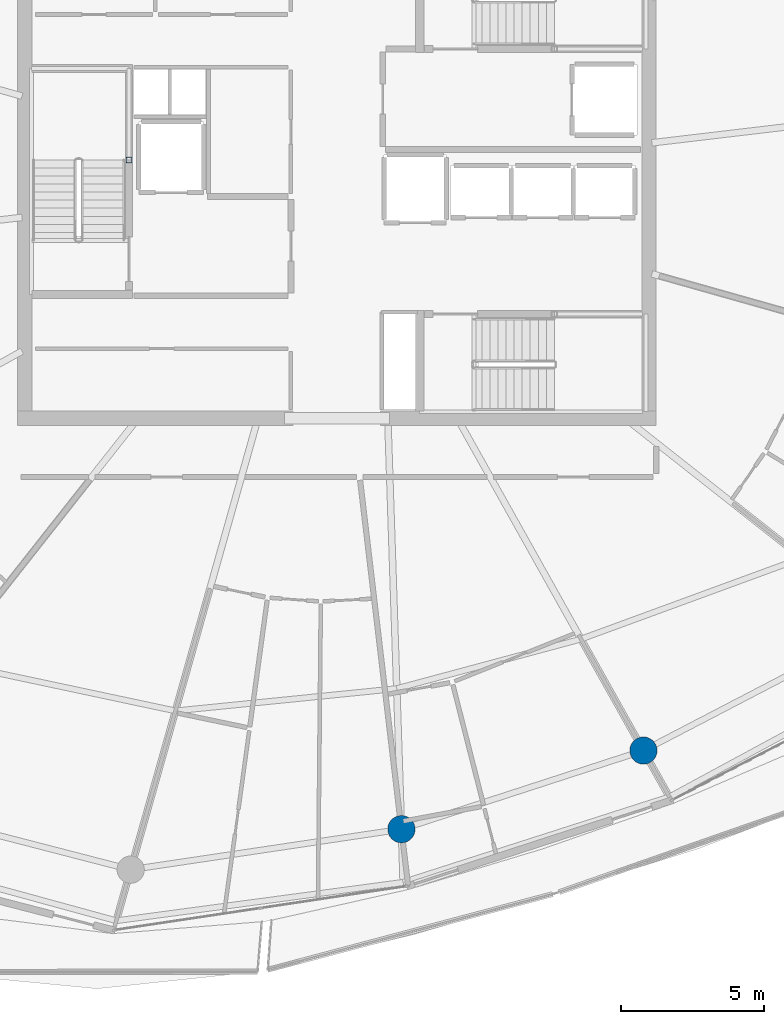
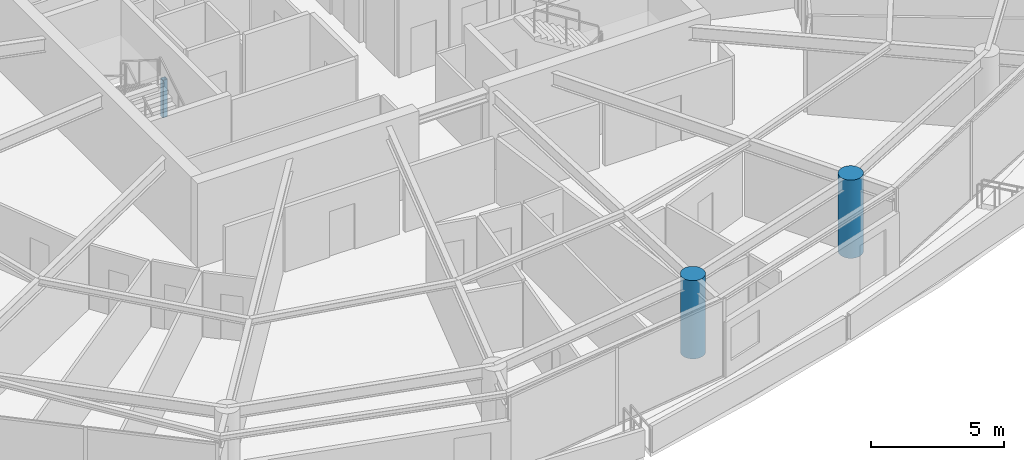
# One storey, part 2 of 30: 3 columns.
"""IFC4 building model written with IfcOpenShell, lengths in metres."""

import ifcopenshell
import ifcopenshell.guid

model = None  # the IFC model being written
_history = None  # IfcOwnerHistory: only IFC2X3 demands one
_inside = {}  # id of a spatial element -> (the spatial element, [elements in it])
_under = {}  # id of a project, library or spatial element -> (it, [spatial elements below it])
_declared = {}  # id of a project -> (the project, [libraries it declares])
_typed = {}  # id of a type object -> (the type object, [elements of that type])
_made_of = {}  # id of a material, layer set ... -> (it, [elements and type objects made of it])


def new_model(schema):
    """Start an empty IFC model of exactly this schema.

    Asked for "IFC4X3", IfcOpenShell would pick the latest addendum, in which some entities
    have other attributes; the version numbers below select the first issue.
    IFC2X3 requires an IfcOwnerHistory on every rooted entity: one is made here for all.
    """
    global model, _history
    if schema == "IFC4X3":
        model = ifcopenshell.file(schema_version=(4, 3, 0, 0))
    else:
        model = ifcopenshell.file(schema=schema)
    _inside.clear()
    _under.clear()
    _declared.clear()
    _typed.clear()
    _made_of.clear()
    _history = None
    if model.schema == "IFC2X3":
        org = make("IfcOrganization", Name="unknown")
        user = make(
            "IfcPersonAndOrganization",
            ThePerson=make("IfcPerson", FamilyName="unknown"),
            TheOrganization=org,
        )
        app = make(
            "IfcApplication",
            ApplicationDeveloper=org,
            Version="unknown",
            ApplicationFullName="unknown",
            ApplicationIdentifier="unknown",
        )
        _history = make(
            "IfcOwnerHistory",
            OwningUser=user,
            OwningApplication=app,
            ChangeAction="ADDED",
            CreationDate=0,
        )
    return model


def make(cls, **values):
    """One entity of the class cls with the attributes given. An attribute that is None is left unset."""
    return model.create_entity(
        cls, **{name: value for name, value in values.items() if value is not None}
    )


def rooted(cls, **values):
    """An entity with a GlobalId (a new one), such as an element, a storey or a relation."""
    return make(cls, GlobalId=ifcopenshell.guid.new(), OwnerHistory=_history, **values)


def si_unit(unit_type, name, prefix=None):
    """IfcSIUnit, for example si_unit("LENGTHUNIT", "METRE", prefix="MILLI")."""
    return make("IfcSIUnit", UnitType=unit_type, Prefix=prefix, Name=name)


def assignment(units):
    """IfcUnitAssignment: the units of a project."""
    return None if units is None else make("IfcUnitAssignment", Units=units)


def point(xyz):
    """IfcCartesianPoint."""
    return None if xyz is None else make("IfcCartesianPoint", Coordinates=xyz)


def direction(xyz):
    """IfcDirection."""
    return None if xyz is None else make("IfcDirection", DirectionRatios=xyz)


def frame(location, z_axis=None, x_axis=None):
    """IfcAxis2Placement3D, a coordinate frame: its origin and axes. An axis left out is left unset."""
    return make(
        "IfcAxis2Placement3D",
        Location=point(location),
        Axis=direction(z_axis),
        RefDirection=direction(x_axis),
    )


def frame_2d(location, x_axis=None):
    """IfcAxis2Placement2D, a coordinate frame in the plane: its origin and x axis."""
    return make(
        "IfcAxis2Placement2D", Location=point(location), RefDirection=direction(x_axis)
    )


def origin():
    """The frame at (0, 0, 0) with its axes left unset."""
    return frame((0.0, 0.0, 0.0))


def origin_2d():
    """The frame at (0, 0) in the plane with its x axis left unset."""
    return frame_2d((0.0, 0.0))


def place(relative_to, where):
    """IfcLocalPlacement: puts the frame where relative to a parent placement (None: the world)."""
    return make(
        "IfcLocalPlacement", PlacementRelTo=relative_to, RelativePlacement=where
    )


def context(
    kind, dimensions, precision=None, world=None, true_north=None, identifier=None
):
    """IfcGeometricRepresentationContext, for example the 3D "Model" context."""
    return make(
        "IfcGeometricRepresentationContext",
        ContextIdentifier=identifier,
        ContextType=kind,
        CoordinateSpaceDimension=dimensions,
        Precision=precision,
        WorldCoordinateSystem=world,
        TrueNorth=true_north,
    )


def subcontext(parent, identifier, kind, view, scale=None):
    """IfcGeometricRepresentationSubContext, for example "Body" below "Model"."""
    return make(
        "IfcGeometricRepresentationSubContext",
        ContextIdentifier=identifier,
        ContextType=kind,
        ParentContext=parent,
        TargetScale=scale,
        TargetView=view,
    )


def project(units=None, contexts=None):
    """IfcProject with its units and contexts."""
    return rooted(
        "IfcProject",
        Name="project",
        RepresentationContexts=contexts,
        UnitsInContext=assignment(units),
    )


def spatial(cls, under=None, at=None, **own):
    """A site, building, storey or space (cls), placed at a placement, below another one or the project."""
    s = rooted(cls, ObjectPlacement=at, **own)
    if under is not None:
        _under.setdefault(under.id(), (under, []))[1].append(s)
    return s


def profile(cls, at=None, kind="AREA", **sizes):
    """A parametric profile (cls). Its sizes go by their IFC names, for example OverallWidth=200.0."""
    return make(cls, ProfileType=kind, Position=at, **sizes)


def hollow_rectangle(**sizes):
    """IfcRectangleHollowProfileDef."""
    return profile("IfcRectangleHollowProfileDef", **sizes)


def circle(**sizes):
    """IfcCircleProfileDef."""
    return profile("IfcCircleProfileDef", **sizes)


def extrude(swept, where, along, depth):
    """IfcExtrudedAreaSolid: the profile swept, set in the frame where, extruded along a direction by depth."""
    return make(
        "IfcExtrudedAreaSolid",
        SweptArea=swept,
        Position=where,
        ExtrudedDirection=direction(along),
        Depth=depth,
    )


def shape(context_of_items, identifier, shape_type, items):
    """IfcShapeRepresentation: the items that make up one representation, for example the "Body"."""
    return make(
        "IfcShapeRepresentation",
        ContextOfItems=context_of_items,
        RepresentationIdentifier=identifier,
        RepresentationType=shape_type,
        Items=items,
    )


def material(Name=None, Category=None):
    """IfcMaterial."""
    return make("IfcMaterial", Name=Name, Category=Category)


def material_profile(
    of_material, cross_section, Name=None, Category=None, Priority=None
):
    """IfcMaterialProfile: a cross section and its material."""
    return make(
        "IfcMaterialProfile",
        Name=Name,
        Material=of_material,
        Profile=cross_section,
        Priority=Priority,
        Category=Category,
    )


def profile_set(profiles, Name=None, composite=None):
    """IfcMaterialProfileSet."""
    return make(
        "IfcMaterialProfileSet",
        Name=Name,
        MaterialProfiles=profiles,
        CompositeProfile=composite,
    )


def made_of(thing, what):
    """Note that an element or type object is made of a material, layer set ...; save() writes the relation."""
    if what is not None:
        _made_of.setdefault(what.id(), (what, []))[1].append(thing)
    return thing


def type_object(cls, material=None, **own):
    """A type object (cls), such as IfcWallType, which elements share."""
    return made_of(rooted(cls, **own), material)


def element(
    cls,
    number,
    at=None,
    inside=None,
    cuts=None,
    type_object=None,
    material=None,
    context=None,
    identifier="Body",
    shape_type=None,
    held_by="IfcProductDefinitionShape",
    body=None,
    shapes=None,
    **own,
):
    """One element of the class cls, such as IfcWall. Its Tag is "e" and its number.

    at: its placement. inside: the storey or other place that contains it. cuts: it is an
    opening in that element (IfcRelVoidsElement). A single representation is given by context,
    identifier, shape_type and body (its items); several are given by shapes. held_by: the class
    of the entity that holds the representations. save() writes the other relations.
    """
    e = rooted(cls, Tag="e%d" % number, ObjectPlacement=at, **own)
    if body is not None:
        shapes = [shape(context, identifier, shape_type, body)]
    if shapes is not None:
        e.Representation = make(held_by, Representations=shapes)
    if inside is not None:
        _inside.setdefault(inside.id(), (inside, []))[1].append(e)
    if cuts is not None:
        rooted(
            "IfcRelVoidsElement", RelatingBuildingElement=cuts, RelatedOpeningElement=e
        )
    if type_object is not None:
        _typed.setdefault(type_object.id(), (type_object, []))[1].append(e)
    return made_of(e, material)


def aggregate(whole, parts):
    """IfcRelAggregates: a whole, such as a stair, and the parts it consists of."""
    return rooted("IfcRelAggregates", RelatingObject=whole, RelatedObjects=parts)


def save(model, path):
    """Write the relations noted so far, then the file.

    IfcRelAggregates (storeys below a building ...), IfcRelContainedInSpatialStructure (elements
    in a storey), IfcRelDefinesByType, IfcRelAssociatesMaterial and IfcRelDeclares: one each for
    every whole, place, type object, material and project.
    """
    for whole, parts in _under.values():
        aggregate(whole, parts)
    for where, things in _inside.values():
        rooted(
            "IfcRelContainedInSpatialStructure",
            RelatedElements=things,
            RelatingStructure=where,
        )
    for kind, things in _typed.values():
        rooted("IfcRelDefinesByType", RelatedObjects=things, RelatingType=kind)
    for what, things in _made_of.values():
        rooted("IfcRelAssociatesMaterial", RelatedObjects=things, RelatingMaterial=what)
    for by, libraries in _declared.values():
        rooted("IfcRelDeclares", RelatingContext=by, RelatedDefinitions=libraries)
    model.write(path)


model = new_model("IFC4")

# Units and contexts
model_context = context("Model", 3, precision=1e-05, world=origin(), true_north=direction((0.0, 1.0)))
body_context = subcontext(model_context, "Body", "Model", "MODEL_VIEW")
ifc_project = project(units=[si_unit("LENGTHUNIT", "METRE"), si_unit("AREAUNIT", "SQUARE_METRE"), si_unit("VOLUMEUNIT", "CUBIC_METRE"), si_unit("PLANEANGLEUNIT", "RADIAN"), si_unit("MASSUNIT", "GRAM", prefix="KILO")], contexts=[model_context])

# Site, building, storey
site_placement = place(None, origin())
site = spatial("IfcSite", under=ifc_project, at=site_placement, CompositionType="ELEMENT")
building_placement = place(site_placement, origin())
building = spatial("IfcBuilding", under=site, at=building_placement, Name="Kazma Halo Residences", CompositionType="ELEMENT")
storey_placement = place(building_placement, frame((0.0, 0.0, 279.050048828125)))
storey = spatial("IfcBuildingStorey", under=building, at=storey_placement, Name="L70", CompositionType="ELEMENT", Elevation=279.050048828125)

# Columns
ifc_material_1 = material(Name="Steel S355", Category="steel")
ifc_material_profile_1 = material_profile(ifc_material_1, hollow_rectangle(XDim=0.199951171875, YDim=0.199951171875, WallThickness=0.010009765625, InnerFilletRadius=0.010009765625, OuterFilletRadius=0.02001953125, at=origin_2d()), Name="SHS200x200x10")
ifc_profile_set_1 = profile_set([ifc_material_profile_1], Name="Steel S355")
column_type_1 = type_object("IfcColumnType", Name="COL-LP-SHS200", PredefinedType="COLUMN", material=ifc_profile_set_1)
column_placement = place(storey_placement, frame((41.179931640625, 42.75, 0.0), z_axis=(0.0, 0.0, 1.0), x_axis=(1.0, 0.0, 0.0)))
element("IfcColumn", 1, at=column_placement, inside=storey, type_object=column_type_1, Name="L70 ST-01 landing pilaster 1", PredefinedType="COLUMN", context=body_context, shape_type="SweptSolid", body=[
    extrude(hollow_rectangle(XDim=0.199951171875, YDim=0.199951171875, WallThickness=0.010009765625, InnerFilletRadius=0.010009765625, OuterFilletRadius=0.02001953125, at=origin_2d()), origin(), (0.0, 0.0, 1.0), 1.719970703125),
])
ifc_material_2 = material(Name="Concrete C60/75", Category="concrete")
ifc_material_profile_2 = material_profile(ifc_material_2, circle(Radius=0.47509765625, at=origin_2d()), Name="CIRC950")
ifc_profile_set_2 = profile_set([ifc_material_profile_2], Name="Concrete C60/75")
column_type_2 = type_object("IfcColumnType", Name="COL-PERIM-950", PredefinedType="COLUMN", material=ifc_profile_set_2)
for number, where, z_axis, x_axis, name in (
    (2, (50.67138671875, 19.42919921875, 0.0), (0.0, 0.0, 1.0), (1.0, 0.0, 0.0), "L70 perimeter ring column P12"),
    (3, (59.10546875, 22.169677734375, 0.0), (0.0, 0.0, 1.0), (1.0, 0.0, 0.0), "L70 perimeter ring column P13"),
):
    element("IfcColumn", number, at=place(storey_placement, frame(where, z_axis=z_axis, x_axis=x_axis)), inside=storey, type_object=column_type_2, Name=name, PredefinedType="COLUMN", context=body_context, shape_type="SweptSolid", body=[
        extrude(circle(Radius=0.47509765625, at=origin_2d()), origin(), (0.0, 0.0, 1.0), 3.58984375),
    ])

save(model, "model.ifc")
